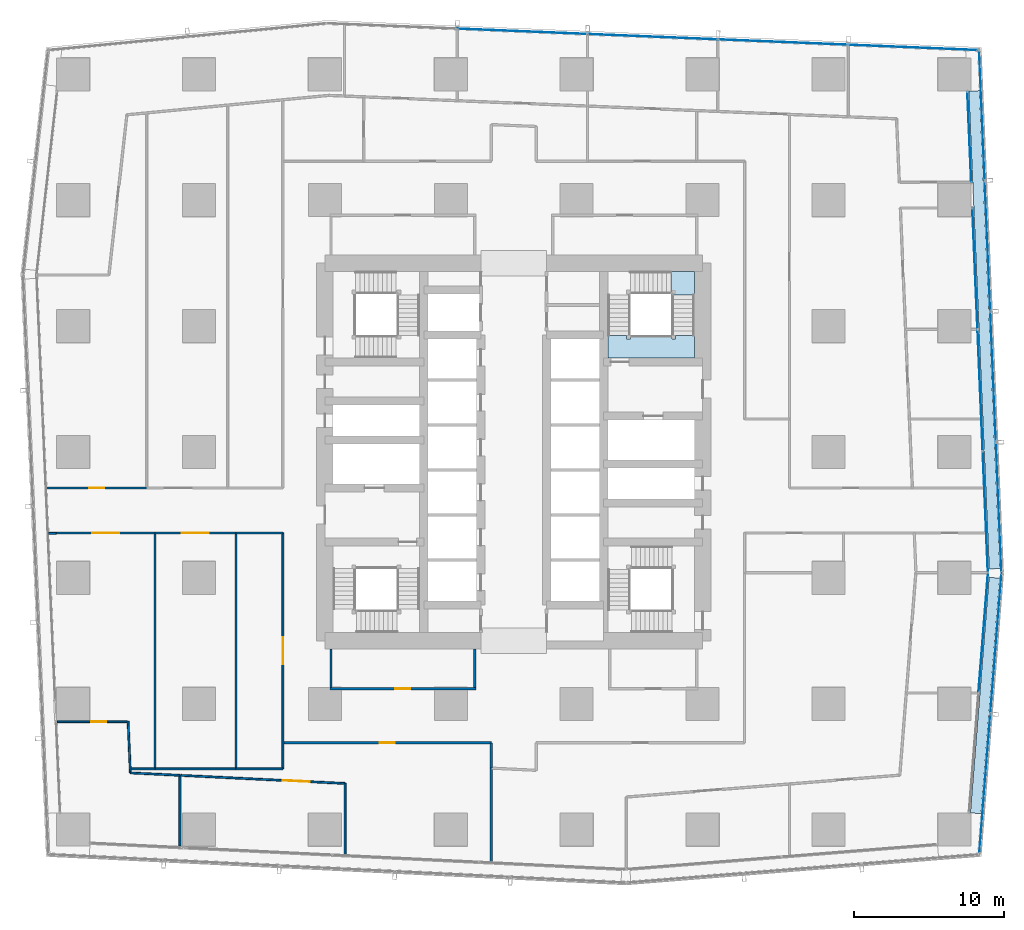
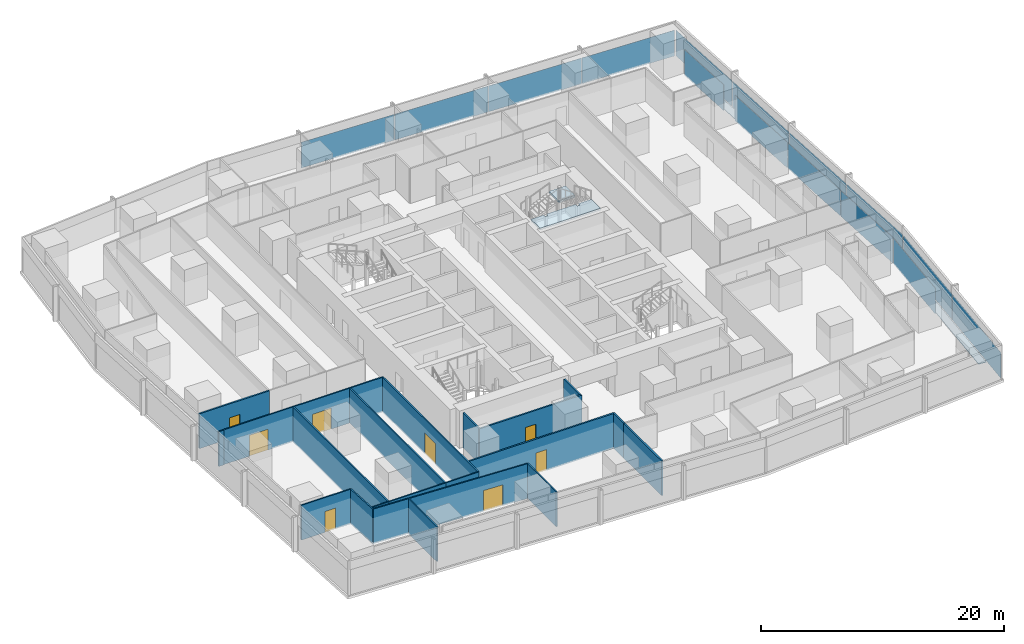
# One storey, part 31 of 44: 23 walls, 17 plates, 8 doors, 2 slabs, 8 openings, 7 elements without a shape of their own.
"""IFC4 building model written with IfcOpenShell, lengths in metres."""

from ifc_helpers import new_model, si_unit, direction, frame, frame_2d, origin, origin_2d, place, context, subcontext, project, spatial, polyline, rectangle, outline, extrude, material, layer, layer_set, type_object, element, fill, aggregate, save


model = new_model("IFC4")

# Units and contexts
model_context = context("Model", 3, precision=1e-05, world=origin(), true_north=direction((0.0, 1.0)))
body_context = subcontext(model_context, "Body", "Model", "MODEL_VIEW")
ifc_project = project(units=[si_unit("LENGTHUNIT", "METRE"), si_unit("AREAUNIT", "SQUARE_METRE"), si_unit("VOLUMEUNIT", "CUBIC_METRE"), si_unit("PLANEANGLEUNIT", "RADIAN"), si_unit("MASSUNIT", "GRAM", prefix="KILO")], contexts=[model_context])

# Site, building, storey
site_placement = place(None, origin())
site = spatial("IfcSite", under=ifc_project, at=site_placement, CompositionType="ELEMENT")
building_placement = place(site_placement, origin())
building = spatial("IfcBuilding", under=site, at=building_placement, Name="Rekha Terrace Tower", CompositionType="ELEMENT")
storey_placement = place(building_placement, frame((0.0, 0.0, 51.64990234375)))
storey = spatial("IfcBuildingStorey", under=building, at=storey_placement, Name="L12", CompositionType="ELEMENT", Elevation=51.64990234375)

# Curtain wall, plate
ifc_material_1 = material(Name="Aluminium framing", Category="aluminium")
curtain_wall_type_1 = type_object("IfcCurtainWallType", Name="CW1 double skin inner glazing", PredefinedType="USERDEFINED", material=ifc_material_1)
curtain_wall_1_placement = place(storey_placement, origin())
curtain_wall_1 = element("IfcCurtainWall", 1, at=curtain_wall_1_placement, inside=storey, type_object=curtain_wall_type_1, Name="CW1 double skin inner glazing", ObjectType="DOUBLE SKIN INNER GLAZING", PredefinedType="USERDEFINED")
ifc_material_2 = material(Name="Double-glazed low-e unit 32", Category="glass")
ifc_layer_1 = layer(ifc_material_2, 0.031982421875)
ifc_layer_set_1 = layer_set([ifc_layer_1], Name="Double-glazed low-e unit 32")
plate_type_1 = type_object("IfcPlateType", Name="CW1 jumbo vision panel, double-glazed low-e unit 32", PredefinedType="CURTAIN_PANEL", material=ifc_layer_set_1)
plate_1_placement = place(storey_placement, frame((69.1220703125, 21.53759765625, 0.0), z_axis=(0.0, 0.0, 1.0), x_axis=(0.079116301, 0.996865392576, 0.0)))
plate_1 = element("IfcPlate", 2, at=plate_1_placement, type_object=plate_type_1, Name="CW1 panel 2.1", PredefinedType="CURTAIN_PANEL", context=body_context, shape_type="SweptSolid", body=[
    extrude(rectangle(XDim=7.988525390625, YDim=0.031982421875, at=origin_2d()), origin(), (0.0, 0.0, 1.0), 2.60009765625),
])
aggregate(curtain_wall_1, [plate_1])

# Curtain wall, plates
curtain_wall_2_placement = place(storey_placement, origin())
curtain_wall_2 = element("IfcCurtainWall", 3, at=curtain_wall_2_placement, inside=storey, type_object=curtain_wall_type_1, Name="CW1 double skin inner glazing", ObjectType="DOUBLE SKIN INNER GLAZING", PredefinedType="USERDEFINED")
plate_2_placement = place(storey_placement, frame((69.263671875, 29.60107421875, 0.0), z_axis=(0.0, 0.0, 1.0), x_axis=(-0.042696072921, 0.999088106904, 0.0)))
plate_2 = element("IfcPlate", 4, at=plate_2_placement, type_object=plate_type_1, Name="CW1 panel 1.1", PredefinedType="CURTAIN_PANEL", context=body_context, shape_type="SweptSolid", body=[
    extrude(rectangle(XDim=8.041015625, YDim=0.031982421875, at=origin_2d()), origin(), (0.0, 0.0, 1.0), 2.60009765625),
])
plate_3_placement = place(storey_placement, frame((68.9169921875, 37.7158203125, 0.0), z_axis=(0.0, 0.0, 1.0), x_axis=(-0.042696072921, 0.999088106904, 0.0)))
plate_3 = element("IfcPlate", 5, at=plate_3_placement, type_object=plate_type_1, Name="CW1 panel 2.1", PredefinedType="CURTAIN_PANEL", context=body_context, shape_type="SweptSolid", body=[
    extrude(rectangle(XDim=8.073486328125, YDim=0.031982421875, at=origin_2d()), origin(), (0.0, 0.0, 1.0), 2.60009765625),
])
plate_4_placement = place(storey_placement, frame((68.5703125, 45.83056640625, 0.0), z_axis=(0.0, 0.0, 1.0), x_axis=(-0.042696072921, 0.999088106904, 0.0)))
plate_4 = element("IfcPlate", 6, at=plate_4_placement, type_object=plate_type_1, Name="CW1 panel 3.1", PredefinedType="CURTAIN_PANEL", context=body_context, shape_type="SweptSolid", body=[
    extrude(rectangle(XDim=8.041015625, YDim=0.031982421875, at=origin_2d()), origin(), (0.0, 0.0, 1.0), 2.60009765625),
])
aggregate(curtain_wall_2, [plate_2, plate_3, plate_4])

# Curtain wall, plate
curtain_wall_3_placement = place(storey_placement, origin())
curtain_wall_3 = element("IfcCurtainWall", 7, at=curtain_wall_3_placement, inside=storey, type_object=curtain_wall_type_1, Name="CW1 double skin inner glazing", ObjectType="DOUBLE SKIN INNER GLAZING", PredefinedType="USERDEFINED")
plate_5_placement = place(storey_placement, frame((68.195556640625, 54.60009765625, 0.0), z_axis=(0.0, 0.0, 1.0), x_axis=(-0.042696073026, 0.9990881069, 0.0)))
plate_5 = element("IfcPlate", 8, at=plate_5_placement, type_object=plate_type_1, Name="CW1 panel 1.1", PredefinedType="CURTAIN_PANEL", context=body_context, shape_type="SweptSolid", body=[
    extrude(rectangle(XDim=6.027587890625, YDim=0.031982421875, at=origin_2d()), origin(), (0.0, 0.0, 1.0), 2.60009765625),
])
aggregate(curtain_wall_3, [plate_5])

# Curtain wall, plates
curtain_wall_type_2 = type_object("IfcCurtainWallType", Name="CW2 double skin outer glazing", PredefinedType="USERDEFINED", material=ifc_material_1)
curtain_wall_4_placement = place(storey_placement, origin())
curtain_wall_4 = element("IfcCurtainWall", 9, at=curtain_wall_4_placement, inside=storey, type_object=curtain_wall_type_2, Name="CW2 double skin outer glazing", ObjectType="DOUBLE SKIN OUTER GLAZING", PredefinedType="USERDEFINED")
ifc_material_3 = material(Name="Toughened single glazing 12", Category="glass")
ifc_layer_2 = layer(ifc_material_3, 0.011962890625)
ifc_layer_set_2 = layer_set([ifc_layer_2], Name="Toughened single glazing 12")
plate_type_2 = type_object("IfcPlateType", Name="CW2 jumbo vision panel, toughened single glazing 12", PredefinedType="CURTAIN_PANEL", material=ifc_layer_set_2)
plate_6_placement = place(storey_placement, frame((69.22509765625, 11.45703125, 0.0), z_axis=(0.0, 0.0, 1.0), x_axis=(0.079116301017, 0.996865392575, 0.0)))
plate_6 = element("IfcPlate", 10, at=plate_6_placement, type_object=plate_type_2, Name="CW2 panel 1.1", PredefinedType="CURTAIN_PANEL", context=body_context, shape_type="SweptSolid", body=[
    extrude(rectangle(XDim=9.28662109375, YDim=0.011962890625, at=origin_2d()), origin(), (0.0, 0.0, 1.0), 2.60009765625),
])
plate_7_placement = place(storey_placement, frame((69.96923828125, 20.834228515625, 0.0), z_axis=(0.0, 0.0, 1.0), x_axis=(0.079116301017, 0.996865392575, 0.0)))
plate_7 = element("IfcPlate", 11, at=plate_7_placement, type_object=plate_type_2, Name="CW2 panel 2.1", PredefinedType="CURTAIN_PANEL", context=body_context, shape_type="SweptSolid", body=[
    extrude(rectangle(XDim=9.36669921875, YDim=0.011962890625, at=origin_2d()), origin(), (0.0, 0.0, 1.0), 2.60009765625),
])
aggregate(curtain_wall_4, [plate_6, plate_7])

curtain_wall_5_placement = place(storey_placement, origin())
curtain_wall_5 = element("IfcCurtainWall", 12, at=curtain_wall_5_placement, inside=storey, type_object=curtain_wall_type_2, Name="CW2 double skin outer glazing", ObjectType="DOUBLE SKIN OUTER GLAZING", PredefinedType="USERDEFINED")
plate_8_placement = place(storey_placement, frame((70.152099609375, 29.890869140625, 0.0), z_axis=(0.0, 0.0, 1.0), x_axis=(-0.042696072956, 0.999088106903, 0.0)))
plate_8 = element("IfcPlate", 13, at=plate_8_placement, type_object=plate_type_2, Name="CW2 panel 1.1", PredefinedType="CURTAIN_PANEL", context=body_context, shape_type="SweptSolid", body=[
    extrude(rectangle(XDim=8.623779296875, YDim=0.011962890625, at=origin_2d()), origin(), (0.0, 0.0, 1.0), 2.60009765625),
])
plate_9_placement = place(storey_placement, frame((69.77978515625, 38.606689453125, 0.0), z_axis=(0.0, 0.0, 1.0), x_axis=(-0.042696072956, 0.999088106903, 0.0)))
plate_9 = element("IfcPlate", 14, at=plate_9_placement, type_object=plate_type_2, Name="CW2 panel 2.1", PredefinedType="CURTAIN_PANEL", context=body_context, shape_type="SweptSolid", body=[
    extrude(rectangle(XDim=8.663818359375, YDim=0.011962890625, at=origin_2d()), origin(), (0.0, 0.0, 1.0), 2.60009765625),
])
plate_10_placement = place(storey_placement, frame((69.406494140625, 47.342529296875, 0.0), z_axis=(0.0, 0.0, 1.0), x_axis=(-0.042696072956, 0.999088106903, 0.0)))
plate_10 = element("IfcPlate", 15, at=plate_10_placement, type_object=plate_type_2, Name="CW2 panel 3.1", PredefinedType="CURTAIN_PANEL", context=body_context, shape_type="SweptSolid", body=[
    extrude(rectangle(XDim=8.663818359375, YDim=0.011962890625, at=origin_2d()), origin(), (0.0, 0.0, 1.0), 2.60009765625),
])
plate_11_placement = place(storey_placement, frame((69.033935546875, 56.058349609375, 0.0), z_axis=(0.0, 0.0, 1.0), x_axis=(-0.042696072956, 0.999088106903, 0.0)))
plate_11 = element("IfcPlate", 16, at=plate_11_placement, type_object=plate_type_2, Name="CW2 panel 4.1", PredefinedType="CURTAIN_PANEL", context=body_context, shape_type="SweptSolid", body=[
    extrude(rectangle(XDim=8.623779296875, YDim=0.011962890625, at=origin_2d()), origin(), (0.0, 0.0, 1.0), 2.60009765625),
])
aggregate(curtain_wall_5, [plate_8, plate_9, plate_10, plate_11])

curtain_wall_type_3 = type_object("IfcCurtainWallType", Name="CW3 north unitised glazing", PredefinedType="USERDEFINED", material=ifc_material_1)
curtain_wall_6_placement = place(storey_placement, origin())
curtain_wall_6 = element("IfcCurtainWall", 17, at=curtain_wall_6_placement, inside=storey, type_object=curtain_wall_type_3, Name="CW3 unitised curtain wall", ObjectType="UNITISED CURTAIN WALL", PredefinedType="USERDEFINED")
ifc_material_4 = material(Name="Double-glazed unit 28", Category="glass")
ifc_layer_3 = layer(ifc_material_4, 0.028076171875)
ifc_layer_set_3 = layer_set([ifc_layer_3], Name="Double-glazed unit 28")
plate_type_3 = type_object("IfcPlateType", Name="CW3 jumbo vision panel, double-glazed unit 28", PredefinedType="CURTAIN_PANEL", material=ifc_layer_set_3)
plate_12_placement = place(storey_placement, frame((64.4423828125, 60.587646484375, 0.0), z_axis=(0.0, 0.0, 1.0), x_axis=(-0.999151997647, 0.041173846041, 0.0)))
plate_12 = element("IfcPlate", 18, at=plate_12_placement, type_object=plate_type_3, Name="CW3 panel 1.1", PredefinedType="CURTAIN_PANEL", context=body_context, shape_type="SweptSolid", body=[
    extrude(rectangle(XDim=8.598876953125, YDim=0.028076171875, at=origin_2d()), origin(), (0.0, 0.0, 1.0), 2.60009765625),
])
plate_13_placement = place(storey_placement, frame((55.76318359375, 60.9453125, 0.0), z_axis=(0.0, 0.0, 1.0), x_axis=(-0.999151997647, 0.041173846041, 0.0)))
plate_13 = element("IfcPlate", 19, at=plate_13_placement, type_object=plate_type_3, Name="CW3 panel 2.1", PredefinedType="CURTAIN_PANEL", context=body_context, shape_type="SweptSolid", body=[
    extrude(rectangle(XDim=8.6337890625, YDim=0.028076171875, at=origin_2d()), origin(), (0.0, 0.0, 1.0), 2.60009765625),
])
plate_14_placement = place(storey_placement, frame((47.066650390625, 61.3037109375, 0.0), z_axis=(0.0, 0.0, 1.0), x_axis=(-0.999151997647, 0.041173846041, 0.0)))
plate_14 = element("IfcPlate", 20, at=plate_14_placement, type_object=plate_type_3, Name="CW3 panel 3.1", PredefinedType="CURTAIN_PANEL", context=body_context, shape_type="SweptSolid", body=[
    extrude(rectangle(XDim=8.6337890625, YDim=0.028076171875, at=origin_2d()), origin(), (0.0, 0.0, 1.0), 2.60009765625),
])
plate_15_placement = place(storey_placement, frame((38.370361328125, 61.662109375, 0.0), z_axis=(0.0, 0.0, 1.0), x_axis=(-0.999151997647, 0.041173846041, 0.0)))
plate_15 = element("IfcPlate", 21, at=plate_15_placement, type_object=plate_type_3, Name="CW3 panel 4.1", PredefinedType="CURTAIN_PANEL", context=body_context, shape_type="SweptSolid", body=[
    extrude(rectangle(XDim=8.6337890625, YDim=0.028076171875, at=origin_2d()), origin(), (0.0, 0.0, 1.0), 2.60009765625),
])
aggregate(curtain_wall_6, [plate_12, plate_13, plate_14, plate_15])

# Plates
ifc_material_5 = material(Name="Galvanised steel open grating", Category="steel")
ifc_layer_4 = layer(ifc_material_5, 0.050048828125)
ifc_layer_set_4 = layer_set([ifc_layer_4], Name="Galvanised steel open grating")
plate_type_4 = type_object("IfcPlateType", Name="GT1 cavity walkway grating 50", PredefinedType="USERDEFINED", material=ifc_layer_set_4)
plate_16_placement = place(storey_placement, frame((69.241455078125, 17.353515625, 0.0), z_axis=(0.0, 0.0, 1.0), x_axis=(0.079116301, 0.996865392576, 0.0)))
element("IfcPlate", 22, at=plate_16_placement, inside=storey, type_object=plate_type_4, Name="Cavity walkway grating", ObjectType="CAVITY WALKWAY GRATING", PredefinedType="USERDEFINED", context=body_context, shape_type="SweptSolid", body=[
    extrude(rectangle(XDim=15.7666015625, YDim=0.705078125, at=origin_2d()), origin(), (0.0, 0.0, 1.0), 0.050048828125),
])
plate_17_placement = place(storey_placement, frame((69.195068359375, 41.75, 0.0), z_axis=(0.0, 0.0, 1.0), x_axis=(-0.042696072939, 0.999088106903, 0.0)))
element("IfcPlate", 23, at=plate_17_placement, inside=storey, type_object=plate_type_4, Name="Cavity walkway grating", ObjectType="CAVITY WALKWAY GRATING", PredefinedType="USERDEFINED", context=body_context, shape_type="SweptSolid", body=[
    extrude(rectangle(XDim=31.9072265625, YDim=0.705078125, at=origin_2d()), origin(), (0.0, 0.0, 1.0), 0.050048828125),
])

# Stair, slabs
ifc_material_6 = material(Name="Concrete M40", Category="concrete")
stair_type = type_object("IfcStairType", Name="ST30 stair, 30 risers of 125, going 300, 1500 wide flights, 3 flights", PredefinedType="HALF_TURN_STAIR", material=ifc_material_6)
stair_placement = place(storey_placement, origin())
stair = element("IfcStair", 24, at=stair_placement, inside=storey, type_object=stair_type, Name="Stair ST2 L12 to L13", PredefinedType="HALF_TURN_STAIR")
ifc_layer_5 = layer(ifc_material_6, 0.199951171875)
ifc_layer_set_5 = layer_set([ifc_layer_5], Name="Concrete M40")
slab_type = type_object("IfcSlabType", Name="LD1 200 concrete stair landing", PredefinedType="LANDING", material=ifc_layer_set_5)
slab_1_placement = place(storey_placement, frame((0.0, 0.0, 2.300048828125)))
slab_1 = element("IfcSlab", 25, at=slab_1_placement, type_object=slab_type, Name="ST2 landing 2", PredefinedType="LANDING", context=body_context, shape_type="SweptSolid", body=[
    extrude(outline(polyline([(48.35009765625, 44.074951171875), (49.85009765625, 44.074951171875), (49.85009765625, 45.64990234375), (48.27490234375, 45.64990234375), (48.27490234375, 44.14990234375), (48.35009765625, 44.14990234375), (48.35009765625, 44.074951171875)])), origin(), (0.0, 0.0, 1.0), 0.199951171875),
])
slab_2_placement = place(storey_placement, frame((0.0, 0.0, 3.550048828125)))
slab_2 = element("IfcSlab", 26, at=slab_2_placement, type_object=slab_type, Name="ST2 landing 3", PredefinedType="LANDING", context=body_context, shape_type="SweptSolid", body=[
    extrude(outline(polyline([(44.074951171875, 41.375), (44.074951171875, 39.875), (49.85009765625, 39.875), (49.85009765625, 41.375), (48.60009765625, 41.375), (48.60009765625, 41.125), (48.35009765625, 41.125), (48.35009765625, 41.375), (45.574951171875, 41.375), (45.574951171875, 41.125), (45.324951171875, 41.125), (45.324951171875, 41.375), (44.074951171875, 41.375)])), origin(), (0.0, 0.0, 1.0), 0.199951171875),
])
aggregate(stair, [slab_1, slab_2])

# Wall, opening, door
ifc_material_7 = material(Name="Concrete block masonry, 1 hour", Category="masonry")
ifc_layer_6 = layer(ifc_material_7, 0.14990234375)
ifc_layer_set_6 = layer_set([ifc_layer_6], Name="Concrete block masonry, 1 hour")
wall_type_1 = type_object("IfcWallType", Name="WP2 150 tenancy partition", PredefinedType="PARTITIONING", material=ifc_layer_set_6)
wall_1_placement = place(storey_placement, frame((25.52490234375, 17.800048828125, 0.0), z_axis=(0.0, 0.0, 1.0), x_axis=(1.0, 0.0, 0.0)))
wall_1 = element("IfcWall", 27, at=wall_1_placement, inside=storey, type_object=wall_type_1, Name="Men's WC wall L12", PredefinedType="PARTITIONING", context=body_context, shape_type="SweptSolid", body=[
    extrude(rectangle(XDim=9.75, YDim=0.14990234375, at=frame_2d((4.875, 0.0))), origin(), (0.0, 0.0, 1.0), 3.5),
])
opening_1_placement = place(wall_1_placement, frame((4.375, 0.0, 0.0)))
opening_1 = element("IfcOpeningElement", 28, at=opening_1_placement, cuts=wall_1, Name="Opening D3", PredefinedType="OPENING", context=body_context, shape_type="SweptSolid", body=[
    extrude(rectangle(XDim=1.0, YDim=2.10009765625, at=frame_2d((0.5, 1.050048828125))), frame((0.0, 0.0849609375, 0.0), z_axis=(0.0, -1.0, 0.0), x_axis=(1.0, 0.0, 0.0)), (0.0, 0.0, 1.0), 0.169921875),
])
ifc_material_8 = material(Name="Laminated timber fire door", Category="wood")
door_type_1 = type_object("IfcDoorType", Name="D3 1000x2100 WC door", OperationType="SINGLE_SWING_LEFT", PredefinedType="DOOR", material=ifc_material_8)
door_1_placement = place(opening_1_placement, origin())
door_1 = element("IfcDoor", 29, at=door_1_placement, inside=storey, type_object=door_type_1, Name="Door men's wc L12", OperationType="SINGLE_SWING_LEFT", OverallHeight=2.10009765625, OverallWidth=1.0, PredefinedType="DOOR", context=body_context, shape_type="SweptSolid", body=[
    extrude(rectangle(XDim=1.0, YDim=2.10009765625, at=frame_2d((0.5, 1.050048828125))), frame((0.0, 0.02490234375, 0.0), z_axis=(0.0, -1.0, 0.0), x_axis=(1.0, 0.0, 0.0)), (0.0, 0.0, 1.0), 0.050048828125),
])
fill(opening_1, door_1)

# Walls
for number, where, z_axis, x_axis, name in (
    (30, (25.60009765625, 17.875, 0.0), (0.0, 0.0, 1.0), (0.0, 1.0, 0.0), "Men's WC wall L12"),
    (31, (35.199951171875, 17.875, 0.0), (0.0, 0.0, 1.0), (0.0, 1.0, 0.0), "Men's WC wall L12"),
):
    element("IfcWall", number, at=place(storey_placement, frame(where, z_axis=z_axis, x_axis=x_axis)), inside=storey, type_object=wall_type_1, Name=name, PredefinedType="PARTITIONING", context=body_context, shape_type="SweptSolid", body=[
        extrude(rectangle(XDim=2.574951171875, YDim=0.14990234375, at=frame_2d((1.28759765625, 0.0))), origin(), (0.0, 0.0, 1.0), 3.5),
    ])
wall_2_placement = place(storey_placement, frame((36.301025390625, 6.2529296875, 0.0), z_axis=(0.0, 0.0, 1.0), x_axis=(0.0, 1.0, 0.0)))
element("IfcWall", 32, at=wall_2_placement, inside=storey, type_object=wall_type_1, Name="Partition L12-O1", PredefinedType="PARTITIONING", context=body_context, shape_type="SweptSolid", body=[
    extrude(rectangle(XDim=6.257080078125, YDim=0.14990234375, at=frame_2d((3.12841796875, 0.0))), origin(), (0.0, 0.0, 1.0), 3.5),
])

# Wall, opening, door
wall_3_placement = place(storey_placement, frame((13.31689453125, 31.199951171875, 0.0), z_axis=(0.0, 0.0, 1.0), x_axis=(-1.0, 0.0, 0.0)))
wall_3 = element("IfcWall", 33, at=wall_3_placement, inside=storey, type_object=wall_type_1, Name="Partition L12-O4b", PredefinedType="PARTITIONING", context=body_context, shape_type="SweptSolid", body=[
    extrude(rectangle(XDim=6.681884765625, YDim=0.14990234375, at=frame_2d((3.3408203125, 0.0))), origin(), (0.0, 0.0, 1.0), 3.5),
])
opening_2_placement = place(wall_3_placement, frame((2.825927734375, 0.0, 0.0)))
opening_2 = element("IfcOpeningElement", 34, at=opening_2_placement, cuts=wall_3, Name="Opening D9", PredefinedType="OPENING", context=body_context, shape_type="SweptSolid", body=[
    extrude(rectangle(XDim=1.0, YDim=2.10009765625, at=frame_2d((0.5, 1.050048828125))), frame((0.0, 0.0849609375, 0.0), z_axis=(0.0, -1.0, 0.0), x_axis=(1.0, 0.0, 0.0)), (0.0, 0.0, 1.0), 0.169921875),
])
ifc_material_9 = material(Name="Timber fire door", Category="wood")
door_type_2 = type_object("IfcDoorType", Name="D9 1000x2100 office door", OperationType="SINGLE_SWING_LEFT", PredefinedType="DOOR", material=ifc_material_9)
door_2_placement = place(opening_2_placement, origin())
door_2 = element("IfcDoor", 35, at=door_2_placement, inside=storey, type_object=door_type_2, Name="Door open-plan office L12", OperationType="SINGLE_SWING_LEFT", OverallHeight=2.10009765625, OverallWidth=1.0, PredefinedType="DOOR", context=body_context, shape_type="SweptSolid", body=[
    extrude(rectangle(XDim=1.0, YDim=2.10009765625, at=frame_2d((0.5, 1.050048828125))), frame((0.0, 0.02490234375, 0.0), z_axis=(0.0, -1.0, 0.0), x_axis=(1.0, 0.0, 0.0)), (0.0, 0.0, 1.0), 0.050048828125),
])
fill(opening_2, door_2)

wall_4_placement = place(storey_placement, frame((22.4619140625, 14.199951171875, 0.0), z_axis=(0.0, 0.0, 1.0), x_axis=(1.0, 0.0, 0.0)))
wall_4 = element("IfcWall", 36, at=wall_4_placement, inside=storey, type_object=wall_type_1, Name="Partition L12-O5", PredefinedType="PARTITIONING", context=body_context, shape_type="SweptSolid", body=[
    extrude(rectangle(XDim=13.837158203125, YDim=0.14990234375, at=frame_2d((6.91845703125, 0.0))), origin(), (0.0, 0.0, 1.0), 3.5),
])
opening_3_placement = place(wall_4_placement, frame((6.387939453125, 0.0, 0.0)))
opening_3 = element("IfcOpeningElement", 37, at=opening_3_placement, cuts=wall_4, Name="Opening D9", PredefinedType="OPENING", context=body_context, shape_type="SweptSolid", body=[
    extrude(rectangle(XDim=1.0, YDim=2.10009765625, at=frame_2d((0.5, 1.050048828125))), frame((0.0, 0.0849609375, 0.0), z_axis=(0.0, -1.0, 0.0), x_axis=(1.0, 0.0, 0.0)), (0.0, 0.0, 1.0), 0.169921875),
])
door_3_placement = place(opening_3_placement, origin())
door_3 = element("IfcDoor", 38, at=door_3_placement, inside=storey, type_object=door_type_2, Name="Door open-plan office L12", OperationType="SINGLE_SWING_LEFT", OverallHeight=2.10009765625, OverallWidth=1.0, PredefinedType="DOOR", context=body_context, shape_type="SweptSolid", body=[
    extrude(rectangle(XDim=1.0, YDim=2.10009765625, at=frame_2d((0.5, 1.050048828125))), frame((0.0, 0.02490234375, 0.0), z_axis=(0.0, -1.0, 0.0), x_axis=(1.0, 0.0, 0.0)), (0.0, 0.0, 1.0), 0.050048828125),
])
fill(opening_3, door_3)

# Wall
wall_5_placement = place(storey_placement, frame((36.299072265625, 14.199951171875, 0.0), z_axis=(0.0, 0.0, 1.0), x_axis=(0.0, -1.0, 0.0)))
element("IfcWall", 39, at=wall_5_placement, inside=storey, type_object=wall_type_1, Name="Partition L12-O5", PredefinedType="PARTITIONING", context=body_context, shape_type="SweptSolid", body=[
    extrude(rectangle(XDim=1.68994140625, YDim=0.14990234375, at=frame_2d((0.844970703125, 0.0))), origin(), (0.0, 0.0, 1.0), 3.5),
])

# Wall, opening, door
ifc_material_10 = material(Name="Two layers of fire-rated gypsum board each side on steel studs, acoustic quilt, 1 hour", Category="steel")
ifc_layer_7 = layer(ifc_material_10, 0.125)
ifc_layer_set_7 = layer_set([ifc_layer_7], Name="Two layers of fire-rated gypsum board each side on steel studs, acoustic quilt, 1 hour")
wall_type_2 = type_object("IfcWallType", Name="WP3 125 office partition", PredefinedType="PARTITIONING", material=ifc_layer_set_7)
wall_6_placement = place(storey_placement, frame((7.346923828125, 15.60791015625, 0.0), z_axis=(0.0, 0.0, 1.0), x_axis=(1.0, 0.0, 0.0)))
wall_6 = element("IfcWall", 40, at=wall_6_placement, inside=storey, type_object=wall_type_2, Name="Partition L12-21", PredefinedType="PARTITIONING", context=body_context, shape_type="SweptSolid", body=[
    extrude(rectangle(XDim=4.662109375, YDim=0.125, at=frame_2d((2.3310546875, 0.0))), origin(), (0.0, 0.0, 1.0), 3.5),
])
opening_4_placement = place(wall_6_placement, frame((2.261962890625, 0.0, 0.0)))
opening_4 = element("IfcOpeningElement", 41, at=opening_4_placement, cuts=wall_6, Name="Opening D9", PredefinedType="OPENING", context=body_context, shape_type="SweptSolid", body=[
    extrude(rectangle(XDim=1.0, YDim=2.10009765625, at=frame_2d((0.5, 1.050048828125))), frame((0.0, 0.072509765625, 0.0), z_axis=(0.0, -1.0, 0.0), x_axis=(1.0, 0.0, 0.0)), (0.0, 0.0, 1.0), 0.14501953125),
])
door_4_placement = place(opening_4_placement, origin())
door_4 = element("IfcDoor", 42, at=door_4_placement, inside=storey, type_object=door_type_2, Name="Door director's office L12", OperationType="SINGLE_SWING_LEFT", OverallHeight=2.10009765625, OverallWidth=1.0, PredefinedType="DOOR", context=body_context, shape_type="SweptSolid", body=[
    extrude(rectangle(XDim=1.0, YDim=2.10009765625, at=frame_2d((0.5, 1.050048828125))), frame((0.0, 0.02490234375, 0.0), z_axis=(0.0, -1.0, 0.0), x_axis=(1.0, 0.0, 0.0)), (0.0, 0.0, 1.0), 0.050048828125),
])
fill(opening_4, door_4)

# Walls
wall_7_placement = place(storey_placement, frame((12.070068359375, 15.64306640625, 0.0), z_axis=(0.0, 0.0, 1.0), x_axis=(0.043664115519, -0.999046267705, 0.0)))
element("IfcWall", 43, at=wall_7_placement, inside=storey, type_object=wall_type_2, Name="Partition L12-21", PredefinedType="PARTITIONING", context=body_context, shape_type="SweptSolid", body=[
    extrude(rectangle(XDim=3.455322265625, YDim=0.125, at=frame_2d((1.7275390625, 0.0))), origin(), (0.0, 0.0, 1.0), 3.5),
])
wall_8_placement = place(storey_placement, frame((12.220947265625, 12.19091796875, 0.0), z_axis=(0.0, 0.0, 1.0), x_axis=(0.998801372368, -0.048947099555, 0.0)))
element("IfcWall", 44, at=wall_8_placement, inside=storey, type_object=wall_type_2, Name="Partition L12-21", PredefinedType="PARTITIONING", context=body_context, shape_type="SweptSolid", body=[
    extrude(rectangle(XDim=3.306884765625, YDim=0.125, at=frame_2d((1.6533203125, 0.0))), origin(), (0.0, 0.0, 1.0), 3.5),
])
wall_9_placement = place(storey_placement, frame((15.52392578125, 12.029052734375, 0.0), z_axis=(0.0, 0.0, 1.0), x_axis=(0.0, -1.0, 0.0)))
element("IfcWall", 45, at=wall_9_placement, inside=storey, type_object=wall_type_2, Name="Partition L12-21", PredefinedType="PARTITIONING", context=body_context, shape_type="SweptSolid", body=[
    extrude(rectangle(XDim=4.72607421875, YDim=0.125, at=frame_2d((2.363037109375, 0.0))), origin(), (0.0, 0.0, 1.0), 3.5),
])

# Wall, opening, door
wall_10_placement = place(storey_placement, frame((15.5859375, 12.02587890625, 0.0), z_axis=(0.0, 0.0, 1.0), x_axis=(0.998793981911, -0.04909767508, 0.0)))
wall_10 = element("IfcWall", 46, at=wall_10_placement, inside=storey, type_object=wall_type_2, Name="Partition L12-22", PredefinedType="PARTITIONING", context=body_context, shape_type="SweptSolid", body=[
    extrude(rectangle(XDim=10.974365234375, YDim=0.125, at=frame_2d((5.4873046875, 0.0))), origin(), (0.0, 0.0, 1.0), 3.5),
])
opening_5_placement = place(wall_10_placement, frame((6.81494140625, 0.0, 0.0)))
opening_5 = element("IfcOpeningElement", 47, at=opening_5_placement, cuts=wall_10, Name="Opening D8", PredefinedType="OPENING", context=body_context, shape_type="SweptSolid", body=[
    extrude(rectangle(XDim=1.800048828125, YDim=2.10009765625, at=frame_2d((0.89990234375, 1.050048828125))), frame((0.0, 0.072509765625, 0.0), z_axis=(0.0, -1.0, 0.0), x_axis=(1.0, 0.0, 0.0)), (0.0, 0.0, 1.0), 0.14501953125),
])
door_type_3 = type_object("IfcDoorType", Name="D8 1800x2100 double leaf door", OperationType="DOUBLE_DOOR_SINGLE_SWING", PredefinedType="DOOR", material=ifc_material_9)
door_5_placement = place(opening_5_placement, origin())
door_5 = element("IfcDoor", 48, at=door_5_placement, inside=storey, type_object=door_type_3, Name="Door reference library L12", OperationType="DOUBLE_DOOR_SINGLE_SWING", OverallHeight=2.10009765625, OverallWidth=1.800048828125, PredefinedType="DOOR", context=body_context, shape_type="SweptSolid", body=[
    extrude(rectangle(XDim=1.800048828125, YDim=2.10009765625, at=frame_2d((0.89990234375, 1.050048828125))), frame((0.0, 0.02490234375, 0.0), z_axis=(0.0, -1.0, 0.0), x_axis=(1.0, 0.0, 0.0)), (0.0, 0.0, 1.0), 0.050048828125),
])
fill(opening_5, door_5)

# Walls
wall_11_placement = place(storey_placement, frame((26.547119140625, 11.487060546875, 0.0), z_axis=(0.0, 0.0, 1.0), x_axis=(0.0, -1.0, 0.0)))
element("IfcWall", 49, at=wall_11_placement, inside=storey, type_object=wall_type_2, Name="Partition L12-22", PredefinedType="PARTITIONING", context=body_context, shape_type="SweptSolid", body=[
    extrude(rectangle(XDim=4.755126953125, YDim=0.125, at=frame_2d((2.37744140625, 0.0))), origin(), (0.0, 0.0, 1.0), 3.5),
])
wall_12_placement = place(storey_placement, frame((6.76806640625, 28.175048828125, 0.0), z_axis=(0.0, 0.0, 1.0), x_axis=(1.0, 0.0, 0.0)))
element("IfcWall", 50, at=wall_12_placement, inside=storey, type_object=wall_type_2, Name="Partition L12-23", PredefinedType="PARTITIONING", context=body_context, shape_type="SweptSolid", body=[
    extrude(rectangle(XDim=0.498046875, YDim=0.125, at=frame_2d((0.2490234375, 0.0))), origin(), (0.0, 0.0, 1.0), 3.5),
])

# Wall, opening, door
wall_13_placement = place(storey_placement, frame((7.26611328125, 28.199951171875, 0.0), z_axis=(0.0, 0.0, 1.0), x_axis=(1.0, 0.0, 0.0)))
wall_13 = element("IfcWall", 51, at=wall_13_placement, inside=storey, type_object=wall_type_2, Name="Partition L12-23", PredefinedType="PARTITIONING", context=body_context, shape_type="SweptSolid", body=[
    extrude(rectangle(XDim=6.599853515625, YDim=0.125, at=frame_2d((3.2998046875, 0.0))), origin(), (0.0, 0.0, 1.0), 3.5),
])
opening_6_placement = place(wall_13_placement, frame((2.39990234375, 0.0, 0.0)))
opening_6 = element("IfcOpeningElement", 52, at=opening_6_placement, cuts=wall_13, Name="Opening D8", PredefinedType="OPENING", context=body_context, shape_type="SweptSolid", body=[
    extrude(rectangle(XDim=1.800048828125, YDim=2.10009765625, at=frame_2d((0.89990234375, 1.050048828125))), frame((0.0, 0.072509765625, 0.0), z_axis=(0.0, -1.0, 0.0), x_axis=(1.0, 0.0, 0.0)), (0.0, 0.0, 1.0), 0.14501953125),
])
door_6_placement = place(opening_6_placement, origin())
door_6 = element("IfcDoor", 53, at=door_6_placement, inside=storey, type_object=door_type_3, Name="Door reception L12", OperationType="DOUBLE_DOOR_SINGLE_SWING", OverallHeight=2.10009765625, OverallWidth=1.800048828125, PredefinedType="DOOR", context=body_context, shape_type="SweptSolid", body=[
    extrude(rectangle(XDim=1.800048828125, YDim=2.10009765625, at=frame_2d((0.89990234375, 1.050048828125))), frame((0.0, 0.02490234375, 0.0), z_axis=(0.0, -1.0, 0.0), x_axis=(1.0, 0.0, 0.0)), (0.0, 0.0, 1.0), 0.050048828125),
])
fill(opening_6, door_6)

# Walls
wall_14_placement = place(storey_placement, frame((13.865966796875, 28.199951171875, 0.0), z_axis=(0.0, 0.0, 1.0), x_axis=(0.0, -1.0, 0.0)))
element("IfcWall", 54, at=wall_14_placement, inside=storey, type_object=wall_type_2, Name="Partition L12-23", PredefinedType="PARTITIONING", context=body_context, shape_type="SweptSolid", body=[
    extrude(rectangle(XDim=15.739990234375, YDim=0.125, at=frame_2d((7.8701171875, 0.0))), origin(), (0.0, 0.0, 1.0), 3.5),
])
wall_15_placement = place(storey_placement, frame((13.865966796875, 12.4599609375, 0.0), z_axis=(0.0, 0.0, 1.0), x_axis=(-1.0, 0.0, 0.0)))
element("IfcWall", 55, at=wall_15_placement, inside=storey, type_object=wall_type_2, Name="Partition L12-23", PredefinedType="PARTITIONING", context=body_context, shape_type="SweptSolid", body=[
    extrude(rectangle(XDim=1.593994140625, YDim=0.125, at=frame_2d((0.796875, 0.0))), origin(), (0.0, 0.0, 1.0), 3.5),
])
wall_16_placement = place(storey_placement, frame((19.26611328125, 28.199951171875, 0.0), z_axis=(0.0, 0.0, 1.0), x_axis=(0.0, -1.0, 0.0)))
element("IfcWall", 56, at=wall_16_placement, inside=storey, type_object=wall_type_2, Name="Partition L12-24", PredefinedType="PARTITIONING", context=body_context, shape_type="SweptSolid", body=[
    extrude(rectangle(XDim=15.739990234375, YDim=0.125, at=frame_2d((7.8701171875, 0.0))), origin(), (0.0, 0.0, 1.0), 3.5),
])
wall_17_placement = place(storey_placement, frame((19.26611328125, 12.4599609375, 0.0), z_axis=(0.0, 0.0, 1.0), x_axis=(-1.0, 0.0, 0.0)))
element("IfcWall", 57, at=wall_17_placement, inside=storey, type_object=wall_type_2, Name="Partition L12-24", PredefinedType="PARTITIONING", context=body_context, shape_type="SweptSolid", body=[
    extrude(rectangle(XDim=5.400146484375, YDim=0.125, at=frame_2d((2.7001953125, 0.0))), origin(), (0.0, 0.0, 1.0), 3.5),
])

# Wall, opening, door
wall_18_placement = place(storey_placement, frame((13.865966796875, 28.199951171875, 0.0), z_axis=(0.0, 0.0, 1.0), x_axis=(1.0, 0.0, 0.0)))
wall_18 = element("IfcWall", 58, at=wall_18_placement, inside=storey, type_object=wall_type_2, Name="Partition L12-24", PredefinedType="PARTITIONING", context=body_context, shape_type="SweptSolid", body=[
    extrude(rectangle(XDim=5.400146484375, YDim=0.125, at=frame_2d((2.7001953125, 0.0))), origin(), (0.0, 0.0, 1.0), 3.5),
])
opening_7_placement = place(wall_18_placement, frame((1.800048828125, 0.0, 0.0)))
opening_7 = element("IfcOpeningElement", 59, at=opening_7_placement, cuts=wall_18, Name="Opening D8", PredefinedType="OPENING", context=body_context, shape_type="SweptSolid", body=[
    extrude(rectangle(XDim=1.800048828125, YDim=2.10009765625, at=frame_2d((0.89990234375, 1.050048828125))), frame((0.0, 0.072509765625, 0.0), z_axis=(0.0, -1.0, 0.0), x_axis=(1.0, 0.0, 0.0)), (0.0, 0.0, 1.0), 0.14501953125),
])
door_7_placement = place(opening_7_placement, origin())
door_7 = element("IfcDoor", 60, at=door_7_placement, inside=storey, type_object=door_type_3, Name="Door wellness room L12", OperationType="DOUBLE_DOOR_SINGLE_SWING", OverallHeight=2.10009765625, OverallWidth=1.800048828125, PredefinedType="DOOR", context=body_context, shape_type="SweptSolid", body=[
    extrude(rectangle(XDim=1.800048828125, YDim=2.10009765625, at=frame_2d((0.89990234375, 1.050048828125))), frame((0.0, 0.02490234375, 0.0), z_axis=(0.0, -1.0, 0.0), x_axis=(1.0, 0.0, 0.0)), (0.0, 0.0, 1.0), 0.050048828125),
])
fill(opening_7, door_7)

wall_19_placement = place(storey_placement, frame((22.39990234375, 28.199951171875, 0.0), z_axis=(0.0, 0.0, 1.0), x_axis=(0.0, -1.0, 0.0)))
wall_19 = element("IfcWall", 61, at=wall_19_placement, inside=storey, type_object=wall_type_2, Name="Partition L12-25", PredefinedType="PARTITIONING", context=body_context, shape_type="SweptSolid", body=[
    extrude(rectangle(XDim=15.739990234375, YDim=0.125, at=frame_2d((7.8701171875, 0.0))), origin(), (0.0, 0.0, 1.0), 3.5),
])
opening_8_placement = place(wall_19_placement, frame((6.969970703125, 0.0, 0.0)))
opening_8 = element("IfcOpeningElement", 62, at=opening_8_placement, cuts=wall_19, Name="Opening D8", PredefinedType="OPENING", context=body_context, shape_type="SweptSolid", body=[
    extrude(rectangle(XDim=1.800048828125, YDim=2.10009765625, at=frame_2d((0.89990234375, 1.050048828125))), frame((0.0, 0.072509765625, 0.0), z_axis=(0.0, -1.0, 0.0), x_axis=(1.0, 0.0, 0.0)), (0.0, 0.0, 1.0), 0.14501953125),
])
door_8_placement = place(opening_8_placement, origin())
door_8 = element("IfcDoor", 63, at=door_8_placement, inside=storey, type_object=door_type_3, Name="Door focus room L12", OperationType="DOUBLE_DOOR_SINGLE_SWING", OverallHeight=2.10009765625, OverallWidth=1.800048828125, PredefinedType="DOOR", context=body_context, shape_type="SweptSolid", body=[
    extrude(rectangle(XDim=1.800048828125, YDim=2.10009765625, at=frame_2d((0.89990234375, 1.050048828125))), frame((0.0, 0.02490234375, 0.0), z_axis=(0.0, -1.0, 0.0), x_axis=(1.0, 0.0, 0.0)), (0.0, 0.0, 1.0), 0.050048828125),
])
fill(opening_8, door_8)

# Walls
for number, where, z_axis, x_axis, name in (
    (64, (22.39990234375, 12.4599609375, 0.0), (0.0, 0.0, 1.0), (-1.0, 0.0, 0.0), "Partition L12-25"),
    (65, (19.26611328125, 28.199951171875, 0.0), (0.0, 0.0, 1.0), (1.0, 0.0, 0.0), "Partition L12-25"),
):
    element("IfcWall", number, at=place(storey_placement, frame(where, z_axis=z_axis, x_axis=x_axis)), inside=storey, type_object=wall_type_2, Name=name, PredefinedType="PARTITIONING", context=body_context, shape_type="SweptSolid", body=[
        extrude(rectangle(XDim=3.1337890625, YDim=0.125, at=frame_2d((1.56689453125, 0.0))), origin(), (0.0, 0.0, 1.0), 3.5),
    ])

save(model, "model.ifc")
